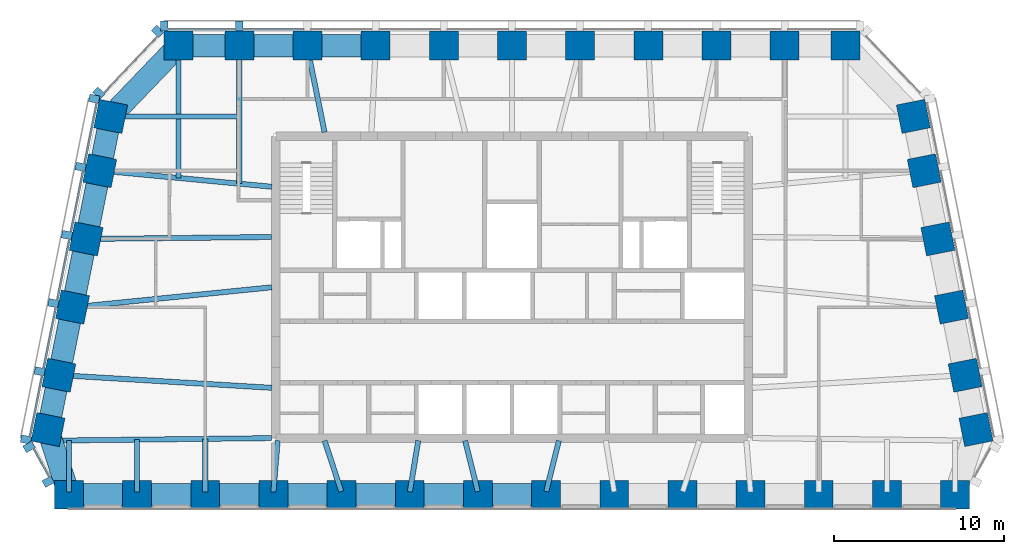
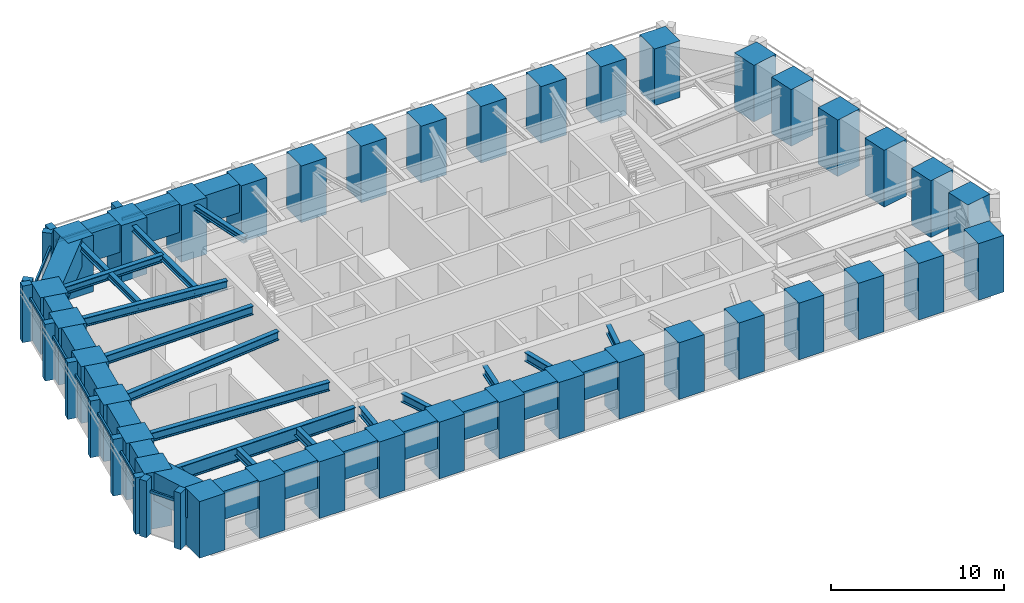
# One storey, part 1 of 8: 37 columns, 34 beams, 21 members, 4 elements without a shape of their own.
"""IFC4 building model written with IfcOpenShell, lengths in metres."""

from ifc_helpers import new_model, si_unit, direction, frame, origin, origin_2d, place, context, subcontext, project, spatial, rectangle, i_section, extrude, material, material_profile, profile_set, type_object, element, aggregate, save


model = new_model("IFC4")

# Units and contexts
model_context = context("Model", 3, precision=1e-05, world=origin(), true_north=direction((0.0, 1.0)))
body_context = subcontext(model_context, "Body", "Model", "MODEL_VIEW")
ifc_project = project(units=[si_unit("LENGTHUNIT", "METRE"), si_unit("AREAUNIT", "SQUARE_METRE"), si_unit("VOLUMEUNIT", "CUBIC_METRE"), si_unit("PLANEANGLEUNIT", "RADIAN"), si_unit("MASSUNIT", "GRAM", prefix="KILO")], contexts=[model_context])

# Site, building, storey
site_placement = place(None, origin())
site = spatial("IfcSite", under=ifc_project, at=site_placement, CompositionType="ELEMENT")
building_placement = place(site_placement, origin())
building = spatial("IfcBuilding", under=site, at=building_placement, Name="Isbrekke Arena Tower", CompositionType="ELEMENT")
storey_placement = place(building_placement, frame((0.0, 0.0, 320.0)))
storey = spatial("IfcBuildingStorey", under=building, at=storey_placement, Name="L75", CompositionType="ELEMENT", Elevation=320.0)

# Columns
ifc_material_1 = material(Name="Concrete B55 (C55/67)", Category="concrete")
ifc_material_profile_1 = material_profile(ifc_material_1, rectangle(XDim=1.699951171875, YDim=1.699951171875, at=origin_2d()), Name="RC 1700x1700")
ifc_profile_set_1 = profile_set([ifc_material_profile_1], Name="Concrete B55 (C55/67)")
column_type = type_object("IfcColumnType", Name="C5 RC 1700 x 1700", PredefinedType="COLUMN", material=ifc_profile_set_1)
for number, where, z_axis, x_axis, name in (
    (1, (-26.0, 2.824951171875, 0.0), (0.0, 0.0, 1.0), (1.0, 0.0, 0.0), "C5 S01"),
    (2, (-22.0, 2.824951171875, 0.0), (0.0, 0.0, 1.0), (1.0, 0.0, 0.0), "C5 S02"),
    (3, (-18.0, 2.824951171875, 0.0), (0.0, 0.0, 1.0), (1.0, 0.0, 0.0), "C5 S03"),
    (4, (-14.0, 2.824951171875, 0.0), (0.0, 0.0, 1.0), (1.0, 0.0, 0.0), "C5 S04"),
    (5, (-10.0, 2.824951171875, 0.0), (0.0, 0.0, 1.0), (1.0, 0.0, 0.0), "C5 S05"),
    (6, (-6.0, 2.824951171875, 0.0), (0.0, 0.0, 1.0), (1.0, 0.0, 0.0), "C5 S06"),
    (7, (-2.0, 2.824951171875, 0.0), (0.0, 0.0, 1.0), (1.0, 0.0, 0.0), "C5 S07"),
    (8, (2.0, 2.824951171875, 0.0), (0.0, 0.0, 1.0), (1.0, 0.0, 0.0), "C5 S08"),
    (9, (6.0, 2.824951171875, 0.0), (0.0, 0.0, 1.0), (1.0, 0.0, 0.0), "C5 S09"),
    (10, (10.0, 2.824951171875, 0.0), (0.0, 0.0, 1.0), (1.0, 0.0, 0.0), "C5 S10"),
    (11, (14.0, 2.824951171875, 0.0), (0.0, 0.0, 1.0), (1.0, 0.0, 0.0), "C5 S11"),
    (12, (18.0, 2.824951171875, 0.0), (0.0, 0.0, 1.0), (1.0, 0.0, 0.0), "C5 S12"),
    (13, (22.0, 2.824951171875, 0.0), (0.0, 0.0, 1.0), (1.0, 0.0, 0.0), "C5 S13"),
    (14, (26.0, 2.824951171875, 0.0), (0.0, 0.0, 1.0), (1.0, 0.0, 0.0), "C5 S14"),
    (15, (27.229248046875, 6.647216796875, 0.0), (0.0, 0.0, 1.0), (-0.196116135138, 0.980580675691, 0.0), "C5 E01"),
    (16, (26.591064453125, 9.838134765625, 0.0), (0.0, 0.0, 1.0), (-0.196116135138, 0.980580675691, 0.0), "C5 E02"),
    (17, (25.791015625, 13.838134765625, 0.0), (0.0, 0.0, 1.0), (-0.196116135138, 0.980580675691, 0.0), "C5 E03"),
    (18, (24.990966796875, 17.838134765625, 0.0), (0.0, 0.0, 1.0), (-0.196116135138, 0.980580675691, 0.0), "C5 E04"),
    (19, (24.19091796875, 21.838134765625, 0.0), (0.0, 0.0, 1.0), (-0.196116135138, 0.980580675691, 0.0), "C5 E05"),
    (20, (23.552734375, 25.029296875, 0.0), (0.0, 0.0, 1.0), (-0.196116135138, 0.980580675691, 0.0), "C5 E06"),
    (21, (19.574951171875, 29.175048828125, 0.0), (0.0, 0.0, 1.0), (-1.0, 0.0, 0.0), "C5 N01"),
    (22, (16.0, 29.175048828125, 0.0), (0.0, 0.0, 1.0), (-1.0, 0.0, 0.0), "C5 N02"),
    (23, (12.0, 29.175048828125, 0.0), (0.0, 0.0, 1.0), (-1.0, 0.0, 0.0), "C5 N03"),
    (24, (8.0, 29.175048828125, 0.0), (0.0, 0.0, 1.0), (-1.0, 0.0, 0.0), "C5 N04"),
    (25, (4.0, 29.175048828125, 0.0), (0.0, 0.0, 1.0), (-1.0, 0.0, 0.0), "C5 N05"),
    (26, (0.0, 29.175048828125, 0.0), (0.0, 0.0, 1.0), (-1.0, 0.0, 0.0), "C5 N06"),
    (27, (-4.0, 29.175048828125, 0.0), (0.0, 0.0, 1.0), (-1.0, 0.0, 0.0), "C5 N07"),
    (28, (-8.0, 29.175048828125, 0.0), (0.0, 0.0, 1.0), (-1.0, 0.0, 0.0), "C5 N08"),
    (29, (-12.0, 29.175048828125, 0.0), (0.0, 0.0, 1.0), (-1.0, 0.0, 0.0), "C5 N09"),
    (30, (-16.0, 29.175048828125, 0.0), (0.0, 0.0, 1.0), (-1.0, 0.0, 0.0), "C5 N10"),
    (31, (-19.574951171875, 29.175048828125, 0.0), (0.0, 0.0, 1.0), (-1.0, 0.0, 0.0), "C5 N11"),
    (32, (-23.552734375, 25.029296875, 0.0), (0.0, 0.0, 1.0), (-0.196116135138, -0.980580675691, 0.0), "C5 W01"),
    (33, (-24.19091796875, 21.838134765625, 0.0), (0.0, 0.0, 1.0), (-0.196116135138, -0.980580675691, 0.0), "C5 W02"),
    (34, (-24.990966796875, 17.838134765625, 0.0), (0.0, 0.0, 1.0), (-0.196116135138, -0.980580675691, 0.0), "C5 W03"),
    (35, (-25.791015625, 13.838134765625, 0.0), (0.0, 0.0, 1.0), (-0.196116135138, -0.980580675691, 0.0), "C5 W04"),
    (36, (-26.591064453125, 9.838134765625, 0.0), (0.0, 0.0, 1.0), (-0.196116135138, -0.980580675691, 0.0), "C5 W05"),
    (37, (-27.229248046875, 6.647216796875, 0.0), (0.0, 0.0, 1.0), (-0.196116135138, -0.980580675691, 0.0), "C5 W06"),
):
    element("IfcColumn", number, at=place(storey_placement, frame(where, z_axis=z_axis, x_axis=x_axis)), inside=storey, type_object=column_type, Name=name, PredefinedType="COLUMN", context=body_context, shape_type="SweptSolid", body=[
        extrude(rectangle(XDim=1.699951171875, YDim=1.699951171875, at=origin_2d()), origin(), (0.0, 0.0, 1.0), 4.0),
    ])

# Beams
ifc_material_2 = material(Name="Steel S355", Category="steel")
ifc_material_profile_2 = material_profile(ifc_material_2, i_section(OverallWidth=0.304931640625, OverallDepth=0.6201171875, WebThickness=0.02099609375, FlangeThickness=0.0400390625, FilletRadius=0.027099609375, at=origin_2d()), Name="HEM 600")
ifc_profile_set_2 = profile_set([ifc_material_profile_2], Name="Steel S355")
beam_type_1 = type_object("IfcBeamType", Name="B4 HEM 600", PredefinedType="BEAM", material=ifc_profile_set_2)
beam_1_placement = place(storey_placement, frame((-26.0, 2.97509765625, 3.43994140625), z_axis=(0.0, 1.0, 0.0), x_axis=(-1.0, 0.0, 0.0)))
element("IfcBeam", 38, at=beam_1_placement, inside=storey, type_object=beam_type_1, Name="B4 beam C-S01 L75", PredefinedType="BEAM", context=body_context, shape_type="SweptSolid", body=[
    extrude(i_section(OverallWidth=0.304931640625, OverallDepth=0.6201171875, WebThickness=0.02099609375, FlangeThickness=0.0400390625, FilletRadius=0.027099609375, at=origin_2d()), origin(), (0.0, 0.0, 1.0), 3.0390625),
])
beam_2_placement = place(storey_placement, frame((-22.0, 2.97509765625, 3.43994140625), z_axis=(0.0, 1.0, 0.0), x_axis=(-1.0, 0.0, 0.0)))
element("IfcBeam", 39, at=beam_2_placement, inside=storey, type_object=beam_type_1, Name="B4 beam C-S02 L75", PredefinedType="BEAM", context=body_context, shape_type="SweptSolid", body=[
    extrude(i_section(OverallWidth=0.304931640625, OverallDepth=0.6201171875, WebThickness=0.02099609375, FlangeThickness=0.0400390625, FilletRadius=0.027099609375, at=origin_2d()), origin(), (0.0, 0.0, 1.0), 3.084716796875),
])
beam_3_placement = place(storey_placement, frame((-18.0, 2.97509765625, 3.43994140625), z_axis=(0.0, 1.0, 0.0), x_axis=(-1.0, 0.0, 0.0)))
element("IfcBeam", 40, at=beam_3_placement, inside=storey, type_object=beam_type_1, Name="B4 beam C-S03 L75", PredefinedType="BEAM", context=body_context, shape_type="SweptSolid", body=[
    extrude(i_section(OverallWidth=0.304931640625, OverallDepth=0.6201171875, WebThickness=0.02099609375, FlangeThickness=0.0400390625, FilletRadius=0.027099609375, at=origin_2d()), origin(), (0.0, 0.0, 1.0), 3.13037109375),
])
beam_4_placement = place(storey_placement, frame((-13.9990234375, 2.987548828125, 3.43994140625), z_axis=(0.082383718089, 0.996600683822, 0.0), x_axis=(-0.996600683822, 0.082383718089, 0.0)))
element("IfcBeam", 41, at=beam_4_placement, inside=storey, type_object=beam_type_1, Name="B4 beam C-S04 L75", PredefinedType="BEAM", context=body_context, shape_type="SweptSolid", body=[
    extrude(i_section(OverallWidth=0.304931640625, OverallDepth=0.6201171875, WebThickness=0.02099609375, FlangeThickness=0.0400390625, FilletRadius=0.027099609375, at=origin_2d()), origin(), (0.0, 0.0, 1.0), 3.022705078125),
])
beam_5_placement = place(storey_placement, frame((-10.01513671875, 3.0205078125, 3.43994140625), z_axis=(-0.313846083605, 0.949473873156, 0.0), x_axis=(-0.949473873156, -0.313846083605, 0.0)))
element("IfcBeam", 42, at=beam_5_placement, inside=storey, type_object=beam_type_1, Name="B4 beam C-S05 L75", PredefinedType="BEAM", context=body_context, shape_type="SweptSolid", body=[
    extrude(i_section(OverallWidth=0.304931640625, OverallDepth=0.6201171875, WebThickness=0.02099609375, FlangeThickness=0.0400390625, FilletRadius=0.027099609375, at=origin_2d()), origin(), (0.0, 0.0, 1.0), 3.137939453125),
])
beam_6_placement = place(storey_placement, frame((-5.995849609375, 2.99951171875, 3.43994140625), z_axis=(0.163044952053, 0.986618641426, 0.0), x_axis=(-0.986618641426, 0.163044952053, 0.0)))
element("IfcBeam", 43, at=beam_6_placement, inside=storey, type_object=beam_type_1, Name="B4 beam C-S06 L75", PredefinedType="BEAM", context=body_context, shape_type="SweptSolid", body=[
    extrude(i_section(OverallWidth=0.304931640625, OverallDepth=0.6201171875, WebThickness=0.02099609375, FlangeThickness=0.0400390625, FilletRadius=0.027099609375, at=origin_2d()), origin(), (0.0, 0.0, 1.0), 3.041259765625),
])
for number, where, z_axis, x_axis, name in (
    (44, (-2.0087890625, 3.0107421875, 3.43994140625), (-0.240669951999, 0.970607013268, 0.0), (-0.970607013268, -0.240669951999, 0.0), "B4 beam C-S07 L75"),
    (45, (2.0087890625, 3.0107421875, 3.43994140625), (0.240669951999, 0.970607013268, 0.0), (-0.970607013268, 0.240669951999, 0.0), "B4 beam C-S08 L75"),
):
    element("IfcBeam", number, at=place(storey_placement, frame(where, z_axis=z_axis, x_axis=x_axis)), inside=storey, type_object=beam_type_1, Name=name, PredefinedType="BEAM", context=body_context, shape_type="SweptSolid", body=[
        extrude(i_section(OverallWidth=0.304931640625, OverallDepth=0.6201171875, WebThickness=0.02099609375, FlangeThickness=0.0400390625, FilletRadius=0.027099609375, at=origin_2d()), origin(), (0.0, 0.0, 1.0), 3.079833984375),
    ])
beam_7_placement = place(storey_placement, frame((-24.02685546875, 21.8369140625, 3.43994140625), z_axis=(0.995574576627, -0.093974796485, 0.0), x_axis=(0.093974796485, 0.995574576627, 0.0)))
element("IfcBeam", 46, at=beam_7_placement, inside=storey, type_object=beam_type_1, Name="B4 beam E-W02 L75", PredefinedType="BEAM", context=body_context, shape_type="SweptSolid", body=[
    extrude(i_section(OverallWidth=0.304931640625, OverallDepth=0.6201171875, WebThickness=0.02099609375, FlangeThickness=0.0400390625, FilletRadius=0.027099609375, at=origin_2d()), origin(), (0.0, 0.0, 1.0), 9.970947265625),
])
beam_8_placement = place(storey_placement, frame((-24.83935546875, 17.838134765625, 3.43994140625), z_axis=(0.999945800258, 0.010411366203, 0.0), x_axis=(-0.010411366203, 0.999945800258, 0.0)))
element("IfcBeam", 47, at=beam_8_placement, inside=storey, type_object=beam_type_1, Name="B4 beam E-W03 L75", PredefinedType="BEAM", context=body_context, shape_type="SweptSolid", body=[
    extrude(i_section(OverallWidth=0.304931640625, OverallDepth=0.6201171875, WebThickness=0.02099609375, FlangeThickness=0.0400390625, FilletRadius=0.027099609375, at=origin_2d()), origin(), (0.0, 0.0, 1.0), 10.73974609375),
])
beam_9_placement = place(storey_placement, frame((-25.625732421875, 13.83984375, 3.43994140625), z_axis=(0.994972081505, 0.100152668587, 0.0), x_axis=(-0.100152668587, 0.994972081505, 0.0)))
element("IfcBeam", 48, at=beam_9_placement, inside=storey, type_object=beam_type_1, Name="B4 beam E-W04 L75", PredefinedType="BEAM", context=body_context, shape_type="SweptSolid", body=[
    extrude(i_section(OverallWidth=0.304931640625, OverallDepth=0.6201171875, WebThickness=0.02099609375, FlangeThickness=0.0400390625, FilletRadius=0.027099609375, at=origin_2d()), origin(), (0.0, 0.0, 1.0), 11.583984375),
])
beam_10_placement = place(storey_placement, frame((-26.431884765625, 9.837646484375, 3.43994140625), z_axis=(0.998216240514, -0.059702070095, 0.0), x_axis=(0.059702070095, 0.998216240514, 0.0)))
element("IfcBeam", 49, at=beam_10_placement, inside=storey, type_object=beam_type_1, Name="B4 beam E-W05 L75", PredefinedType="BEAM", context=body_context, shape_type="SweptSolid", body=[
    extrude(i_section(OverallWidth=0.304931640625, OverallDepth=0.6201171875, WebThickness=0.02099609375, FlangeThickness=0.0400390625, FilletRadius=0.027099609375, at=origin_2d()), origin(), (0.0, 0.0, 1.0), 12.353759765625),
])
ifc_material_3 = material(Name="Steel S355", Category="steel")
ifc_material_profile_3 = material_profile(ifc_material_3, i_section(OverallWidth=0.305908203125, OverallDepth=0.52392578125, WebThickness=0.02099609375, FlangeThickness=0.0400390625, FilletRadius=0.027099609375, at=origin_2d()), Name="HEM 500")
ifc_profile_set_3 = profile_set([ifc_material_profile_3], Name="Steel S355")
beam_type_2 = type_object("IfcBeamType", Name="B5 HEM 500", PredefinedType="BEAM", material=ifc_profile_set_3)
beam_11_placement = place(storey_placement, frame((-23.40283203125, 25.029296875, 3.488037109375), z_axis=(1.0, 0.0, 0.0), x_axis=(0.0, 1.0, 0.0)))
element("IfcBeam", 50, at=beam_11_placement, inside=storey, type_object=beam_type_2, Name="B5 beam E-W01 L75", PredefinedType="BEAM", context=body_context, shape_type="SweptSolid", body=[
    extrude(i_section(OverallWidth=0.305908203125, OverallDepth=0.52392578125, WebThickness=0.02099609375, FlangeThickness=0.0400390625, FilletRadius=0.027099609375, at=origin_2d()), origin(), (0.0, 0.0, 1.0), 7.40283203125),
])
ifc_material_4 = material(Name="Steel S355", Category="steel")
ifc_material_profile_4 = material_profile(ifc_material_4, i_section(OverallWidth=0.306884765625, OverallDepth=0.431884765625, WebThickness=0.02099609375, FlangeThickness=0.0400390625, FilletRadius=0.027099609375, at=origin_2d()), Name="HEM 400")
ifc_profile_set_4 = profile_set([ifc_material_profile_4], Name="Steel S355")
beam_type_3 = type_object("IfcBeamType", Name="B6 HEM 400", PredefinedType="BEAM", material=ifc_profile_set_4)
beam_12_placement = place(storey_placement, frame((-16.0, 29.02490234375, 3.533935546875), z_axis=(0.0, -1.0, 0.0), x_axis=(1.0, 0.0, 0.0)))
element("IfcBeam", 51, at=beam_12_placement, inside=storey, type_object=beam_type_3, Name="B6 beam N-N10 L75", PredefinedType="BEAM", context=body_context, shape_type="SweptSolid", body=[
    extrude(i_section(OverallWidth=0.306884765625, OverallDepth=0.431884765625, WebThickness=0.02099609375, FlangeThickness=0.0400390625, FilletRadius=0.027099609375, at=origin_2d()), origin(), (0.0, 0.0, 1.0), 7.945556640625),
])
beam_13_placement = place(storey_placement, frame((-19.574951171875, 29.02490234375, 3.533935546875), z_axis=(0.0, -1.0, 0.0), x_axis=(1.0, 0.0, 0.0)))
element("IfcBeam", 52, at=beam_13_placement, inside=storey, type_object=beam_type_3, Name="B6 beam N-N11 L75", PredefinedType="BEAM", context=body_context, shape_type="SweptSolid", body=[
    extrude(i_section(OverallWidth=0.306884765625, OverallDepth=0.431884765625, WebThickness=0.02099609375, FlangeThickness=0.0400390625, FilletRadius=0.027099609375, at=origin_2d()), origin(), (0.0, 0.0, 1.0), 7.608154296875),
])
beam_14_placement = place(storey_placement, frame((-11.993896484375, 28.9951171875, 3.533935546875), z_axis=(0.198982177337, -0.980003108721, 0.0), x_axis=(0.980003108721, 0.198982177337, 0.0)))
element("IfcBeam", 53, at=beam_14_placement, inside=storey, type_object=beam_type_3, Name="B6 beam N-N09 L75", PredefinedType="BEAM", context=body_context, shape_type="SweptSolid", body=[
    extrude(i_section(OverallWidth=0.306884765625, OverallDepth=0.431884765625, WebThickness=0.02099609375, FlangeThickness=0.0400390625, FilletRadius=0.027099609375, at=origin_2d()), origin(), (0.0, 0.0, 1.0), 4.994873046875),
])

# Curtain wall, members
ifc_material_5 = material(Name="Glazed aluminium curtain wall", Category="aluminium")
curtain_wall_type = type_object("IfcCurtainWallType", Name="CWT TOWER CURTAIN WALL TOP ZONE", PredefinedType="USERDEFINED", material=ifc_material_5)
curtain_wall_1_placement = place(storey_placement, origin())
curtain_wall_1 = element("IfcCurtainWall", 54, at=curtain_wall_1_placement, inside=storey, type_object=curtain_wall_type, Name="CWT curtain wall L75-N", ObjectType="TOWER CURTAIN WALL TOP ZONE", PredefinedType="USERDEFINED")
ifc_material_6 = material(Name="Copper-clad aluminium mullion", Category="aluminium")
ifc_material_profile_5 = material_profile(ifc_material_6, rectangle(XDim=0.449951171875, YDim=0.60009765625, at=origin_2d()), Name="PIER 450X600")
ifc_profile_set_5 = profile_set([ifc_material_profile_5], Name="Copper-clad aluminium mullion")
member_type_1 = type_object("IfcMemberType", Name="CWT-M PIER MULLION 450 x 600", PredefinedType="MULLION", material=ifc_profile_set_5)
member_1_placement = place(storey_placement, frame((-16.0, 30.324951171875, 0.0), z_axis=(0.0, 0.0, 1.0), x_axis=(-1.0, 0.0, 0.0)))
member_1 = element("IfcMember", 55, at=member_1_placement, type_object=member_type_1, Name="CWT-M mullion 10", PredefinedType="MULLION", context=body_context, shape_type="SweptSolid", body=[
    extrude(rectangle(XDim=0.449951171875, YDim=0.60009765625, at=origin_2d()), origin(), (0.0, 0.0, 1.0), 4.0),
])
member_2_placement = place(storey_placement, frame((-20.39990234375, 30.324951171875, 0.0), z_axis=(0.0, 0.0, 1.0), x_axis=(-1.0, 0.0, 0.0)))
member_2 = element("IfcMember", 56, at=member_2_placement, type_object=member_type_1, Name="CWT-M mullion 11", PredefinedType="MULLION", context=body_context, shape_type="SweptSolid", body=[
    extrude(rectangle(XDim=0.449951171875, YDim=0.60009765625, at=origin_2d()), origin(), (0.0, 0.0, 1.0), 4.0),
])

curtain_wall_2_placement = place(storey_placement, origin())
curtain_wall_2 = element("IfcCurtainWall", 57, at=curtain_wall_2_placement, inside=storey, type_object=curtain_wall_type, Name="CWT curtain wall L75-NW", ObjectType="TOWER CURTAIN WALL TOP ZONE", PredefinedType="USERDEFINED")
member_3_placement = place(storey_placement, frame((-20.795166015625, 30.01953125, 0.0), z_axis=(0.0, 0.0, 1.0), x_axis=(-0.68874946192, -0.72499943359, 0.0)))
member_3 = element("IfcMember", 58, at=member_3_placement, type_object=member_type_1, Name="CWT-M mullion 1", PredefinedType="MULLION", context=body_context, shape_type="SweptSolid", body=[
    extrude(rectangle(XDim=0.449951171875, YDim=0.60009765625, at=origin_2d()), origin(), (0.0, 0.0, 1.0), 4.0),
])
member_4_placement = place(storey_placement, frame((-24.243896484375, 26.389404296875, 0.0), z_axis=(0.0, 0.0, 1.0), x_axis=(-0.68874946192, -0.72499943359, 0.0)))
member_4 = element("IfcMember", 59, at=member_4_placement, type_object=member_type_1, Name="CWT-M mullion 2", PredefinedType="MULLION", context=body_context, shape_type="SweptSolid", body=[
    extrude(rectangle(XDim=0.449951171875, YDim=0.60009765625, at=origin_2d()), origin(), (0.0, 0.0, 1.0), 4.0),
])

curtain_wall_3_placement = place(storey_placement, origin())
curtain_wall_3 = element("IfcCurtainWall", 60, at=curtain_wall_3_placement, inside=storey, type_object=curtain_wall_type, Name="CWT curtain wall L75-W", ObjectType="TOWER CURTAIN WALL TOP ZONE", PredefinedType="USERDEFINED")
member_5_placement = place(storey_placement, frame((-24.518798828125, 26.063720703125, 0.0), z_axis=(0.0, 0.0, 1.0), x_axis=(-0.196116135138, -0.980580675691, 0.0)))
member_5 = element("IfcMember", 61, at=member_5_placement, type_object=member_type_1, Name="CWT-M mullion 1", PredefinedType="MULLION", context=body_context, shape_type="SweptSolid", body=[
    extrude(rectangle(XDim=0.449951171875, YDim=0.60009765625, at=origin_2d()), origin(), (0.0, 0.0, 1.0), 4.0),
])
member_6_placement = place(storey_placement, frame((-25.318603515625, 22.063720703125, 0.0), z_axis=(0.0, 0.0, 1.0), x_axis=(-0.196116135138, -0.980580675691, 0.0)))
member_6 = element("IfcMember", 62, at=member_6_placement, type_object=member_type_1, Name="CWT-M mullion 2", PredefinedType="MULLION", context=body_context, shape_type="SweptSolid", body=[
    extrude(rectangle(XDim=0.449951171875, YDim=0.60009765625, at=origin_2d()), origin(), (0.0, 0.0, 1.0), 4.0),
])
member_7_placement = place(storey_placement, frame((-26.11865234375, 18.063720703125, 0.0), z_axis=(0.0, 0.0, 1.0), x_axis=(-0.196116135138, -0.980580675691, 0.0)))
member_7 = element("IfcMember", 63, at=member_7_placement, type_object=member_type_1, Name="CWT-M mullion 3", PredefinedType="MULLION", context=body_context, shape_type="SweptSolid", body=[
    extrude(rectangle(XDim=0.449951171875, YDim=0.60009765625, at=origin_2d()), origin(), (0.0, 0.0, 1.0), 4.0),
])
member_8_placement = place(storey_placement, frame((-26.918701171875, 14.063720703125, 0.0), z_axis=(0.0, 0.0, 1.0), x_axis=(-0.196116135138, -0.980580675691, 0.0)))
member_8 = element("IfcMember", 64, at=member_8_placement, type_object=member_type_1, Name="CWT-M mullion 4", PredefinedType="MULLION", context=body_context, shape_type="SweptSolid", body=[
    extrude(rectangle(XDim=0.449951171875, YDim=0.60009765625, at=origin_2d()), origin(), (0.0, 0.0, 1.0), 4.0),
])
member_9_placement = place(storey_placement, frame((-27.71875, 10.063720703125, 0.0), z_axis=(0.0, 0.0, 1.0), x_axis=(-0.196116135138, -0.980580675691, 0.0)))
member_9 = element("IfcMember", 65, at=member_9_placement, type_object=member_type_1, Name="CWT-M mullion 5", PredefinedType="MULLION", context=body_context, shape_type="SweptSolid", body=[
    extrude(rectangle(XDim=0.449951171875, YDim=0.60009765625, at=origin_2d()), origin(), (0.0, 0.0, 1.0), 4.0),
])
member_10_placement = place(storey_placement, frame((-28.518798828125, 6.063720703125, 0.0), z_axis=(0.0, 0.0, 1.0), x_axis=(-0.196116135138, -0.980580675691, 0.0)))
member_10 = element("IfcMember", 66, at=member_10_placement, type_object=member_type_1, Name="CWT-M mullion 6", PredefinedType="MULLION", context=body_context, shape_type="SweptSolid", body=[
    extrude(rectangle(XDim=0.449951171875, YDim=0.60009765625, at=origin_2d()), origin(), (0.0, 0.0, 1.0), 4.0),
])

curtain_wall_4_placement = place(storey_placement, origin())
curtain_wall_4 = element("IfcCurtainWall", 67, at=curtain_wall_4_placement, inside=storey, type_object=curtain_wall_type, Name="CWT curtain wall L75-WS", ObjectType="TOWER CURTAIN WALL TOP ZONE", PredefinedType="USERDEFINED")
member_11_placement = place(storey_placement, frame((-28.34033203125, 5.632568359375, 0.0), z_axis=(0.0, 0.0, 1.0), x_axis=(0.481918749773, -0.876215908676, 0.0)))
member_11 = element("IfcMember", 68, at=member_11_placement, type_object=member_type_1, Name="CWT-M mullion 1", PredefinedType="MULLION", context=body_context, shape_type="SweptSolid", body=[
    extrude(rectangle(XDim=0.449951171875, YDim=0.60009765625, at=origin_2d()), origin(), (0.0, 0.0, 1.0), 4.0),
])
member_12_placement = place(storey_placement, frame((-27.21826171875, 3.592529296875, 0.0), z_axis=(0.0, 0.0, 1.0), x_axis=(0.481918749773, -0.876215908676, 0.0)))
member_12 = element("IfcMember", 69, at=member_12_placement, type_object=member_type_1, Name="CWT-M mullion 2", PredefinedType="MULLION", context=body_context, shape_type="SweptSolid", body=[
    extrude(rectangle(XDim=0.449951171875, YDim=0.60009765625, at=origin_2d()), origin(), (0.0, 0.0, 1.0), 4.0),
])

# Member
ifc_material_7 = material(Name="Aluminium transom", Category="aluminium")
ifc_material_profile_6 = material_profile(ifc_material_7, rectangle(XDim=0.1201171875, YDim=0.199951171875, at=origin_2d()), Name="TRANSOM 120X200")
ifc_profile_set_6 = profile_set([ifc_material_profile_6], Name="Aluminium transom")
member_type_2 = type_object("IfcMemberType", Name="CWT-T TRANSOM 120 x 200", PredefinedType="USERDEFINED", material=ifc_profile_set_6)
member_13_placement = place(storey_placement, frame((-12.22509765625, 30.125, 3.0), z_axis=(-1.0, 0.0, 0.0), x_axis=(0.0, -1.0, 0.0)))
member_13 = element("IfcMember", 70, at=member_13_placement, type_object=member_type_2, Name="CWT-T transom 9", ObjectType="TRANSOM", PredefinedType="USERDEFINED", context=body_context, shape_type="SweptSolid", body=[
    extrude(rectangle(XDim=0.1201171875, YDim=0.199951171875, at=origin_2d()), origin(), (0.0, 0.0, 1.0), 3.5498046875),
])

member_14_placement = place(storey_placement, frame((-16.22509765625, 30.125, 3.0), z_axis=(-1.0, 0.0, 0.0), x_axis=(0.0, -1.0, 0.0)))
member_14 = element("IfcMember", 71, at=member_14_placement, type_object=member_type_2, Name="CWT-T transom 10", ObjectType="TRANSOM", PredefinedType="USERDEFINED", context=body_context, shape_type="SweptSolid", body=[
    extrude(rectangle(XDim=0.1201171875, YDim=0.199951171875, at=origin_2d()), origin(), (0.0, 0.0, 1.0), 3.949951171875),
])

aggregate(curtain_wall_1, [member_1, member_2, member_13, member_14])

member_15_placement = place(storey_placement, frame((-20.80517578125, 29.71875, 3.0), z_axis=(-0.688739606035, -0.725008796552, 0.0), x_axis=(0.725008796552, -0.688739606035, 0.0)))
member_15 = element("IfcMember", 72, at=member_15_placement, type_object=member_type_2, Name="CWT-T transom 1", ObjectType="TRANSOM", PredefinedType="USERDEFINED", context=body_context, shape_type="SweptSolid", body=[
    extrude(rectangle(XDim=0.1201171875, YDim=0.199951171875, at=origin_2d()), origin(), (0.0, 0.0, 1.0), 4.55712890625),
])

aggregate(curtain_wall_2, [member_3, member_4, member_15])

member_16_placement = place(storey_placement, frame((-24.36669921875, 25.803955078125, 3.0), z_axis=(-0.196090262229, -0.980585849918, 0.0), x_axis=(0.980585849918, -0.196090262229, 0.0)))
member_16 = element("IfcMember", 73, at=member_16_placement, type_object=member_type_2, Name="CWT-T transom 1", ObjectType="TRANSOM", PredefinedType="USERDEFINED", context=body_context, shape_type="SweptSolid", body=[
    extrude(rectangle(XDim=0.1201171875, YDim=0.199951171875, at=origin_2d()), origin(), (0.0, 0.0, 1.0), 3.62939453125),
])

member_17_placement = place(storey_placement, frame((-25.166748046875, 21.803955078125, 3.0), z_axis=(-0.196090262229, -0.980585849918, 0.0), x_axis=(0.980585849918, -0.196090262229, 0.0)))
member_17 = element("IfcMember", 74, at=member_17_placement, type_object=member_type_2, Name="CWT-T transom 2", ObjectType="TRANSOM", PredefinedType="USERDEFINED", context=body_context, shape_type="SweptSolid", body=[
    extrude(rectangle(XDim=0.1201171875, YDim=0.199951171875, at=origin_2d()), origin(), (0.0, 0.0, 1.0), 3.62939453125),
])

member_18_placement = place(storey_placement, frame((-25.966796875, 17.803955078125, 3.0), z_axis=(-0.196090262229, -0.980585849918, 0.0), x_axis=(0.980585849918, -0.196090262229, 0.0)))
member_18 = element("IfcMember", 75, at=member_18_placement, type_object=member_type_2, Name="CWT-T transom 3", ObjectType="TRANSOM", PredefinedType="USERDEFINED", context=body_context, shape_type="SweptSolid", body=[
    extrude(rectangle(XDim=0.1201171875, YDim=0.199951171875, at=origin_2d()), origin(), (0.0, 0.0, 1.0), 3.62939453125),
])

member_19_placement = place(storey_placement, frame((-26.7666015625, 13.803955078125, 3.0), z_axis=(-0.196154943734, -0.980572913173, 0.0), x_axis=(0.980572913173, -0.196154943734, 0.0)))
member_19 = element("IfcMember", 76, at=member_19_placement, type_object=member_type_2, Name="CWT-T transom 4", ObjectType="TRANSOM", PredefinedType="USERDEFINED", context=body_context, shape_type="SweptSolid", body=[
    extrude(rectangle(XDim=0.1201171875, YDim=0.199951171875, at=origin_2d()), origin(), (0.0, 0.0, 1.0), 3.62939453125),
])

member_20_placement = place(storey_placement, frame((-27.566650390625, 9.803955078125, 3.0), z_axis=(-0.196154943734, -0.980572913173, 0.0), x_axis=(0.980572913173, -0.196154943734, 0.0)))
member_20 = element("IfcMember", 77, at=member_20_placement, type_object=member_type_2, Name="CWT-T transom 5", ObjectType="TRANSOM", PredefinedType="USERDEFINED", context=body_context, shape_type="SweptSolid", body=[
    extrude(rectangle(XDim=0.1201171875, YDim=0.199951171875, at=origin_2d()), origin(), (0.0, 0.0, 1.0), 3.62939453125),
])

aggregate(curtain_wall_3, [member_5, member_6, member_7, member_8, member_9, member_10, member_16, member_17, member_18, member_19, member_20])

member_21_placement = place(storey_placement, frame((-28.056640625, 5.53173828125, 3.0), z_axis=(0.481918749772, -0.876215908677, 0.0), x_axis=(0.876215908677, 0.481918749772, 0.0)))
member_21 = element("IfcMember", 78, at=member_21_placement, type_object=member_type_2, Name="CWT-T transom 1", ObjectType="TRANSOM", PredefinedType="USERDEFINED", context=body_context, shape_type="SweptSolid", body=[
    extrude(rectangle(XDim=0.1201171875, YDim=0.199951171875, at=origin_2d()), origin(), (0.0, 0.0, 1.0), 1.8779296875),
])

aggregate(curtain_wall_4, [member_11, member_12, member_21])

# Beams
ifc_material_8 = material(Name="Steel S355", Category="steel")
ifc_material_profile_7 = material_profile(ifc_material_8, i_section(OverallWidth=0.302001953125, OverallDepth=1.008056640625, WebThickness=0.02099609375, FlangeThickness=0.0400390625, FilletRadius=0.030029296875, at=origin_2d()), Name="HEM 1000")
ifc_profile_set_7 = profile_set([ifc_material_profile_7], Name="Steel S355")
beam_type_4 = type_object("IfcBeamType", Name="G2 HEM 1000", PredefinedType="BEAM", material=ifc_profile_set_7)
beam_15_placement = place(storey_placement, frame((-14.10009765625, 6.14990234375, 3.24609375), z_axis=(-0.999934809516, -0.011418262471, 0.0), x_axis=(0.011418262471, -0.999934809516, 0.0)))
element("IfcBeam", 79, at=beam_15_placement, inside=storey, type_object=beam_type_4, Name="G2 beam G2-W L75", PredefinedType="BEAM", context=body_context, shape_type="SweptSolid", body=[
    extrude(i_section(OverallWidth=0.302001953125, OverallDepth=1.008056640625, WebThickness=0.02099609375, FlangeThickness=0.0400390625, FilletRadius=0.030029296875, at=origin_2d()), origin(), (0.0, 0.0, 1.0), 13.12841796875),
])
ifc_material_9 = material(Name="Concrete B55 (C55/67)", Category="concrete")
ifc_material_profile_8 = material_profile(ifc_material_9, rectangle(XDim=1.300048828125, YDim=2.0, at=origin_2d()), Name="RC 1300x2000")
ifc_profile_set_8 = profile_set([ifc_material_profile_8], Name="Concrete B55 (C55/67)")
beam_type_5 = type_object("IfcBeamType", Name="SB4 RC 1300 x 2000", PredefinedType="SPANDREL", material=ifc_profile_set_8)
for number, where, z_axis, x_axis, name in (
    (80, (-25.85009765625, 2.824951171875, 3.0), (1.0, 0.0, 0.0), (0.0, 1.0, 0.0), "SB4 spandrel S01-S02 L75"),
    (81, (-21.85009765625, 2.824951171875, 3.0), (1.0, 0.0, 0.0), (0.0, 1.0, 0.0), "SB4 spandrel S02-S03 L75"),
    (82, (-17.85009765625, 2.824951171875, 3.0), (1.0, 0.0, 0.0), (0.0, 1.0, 0.0), "SB4 spandrel S03-S04 L75"),
    (83, (-13.85009765625, 2.824951171875, 3.0), (1.0, 0.0, 0.0), (0.0, 1.0, 0.0), "SB4 spandrel S04-S05 L75"),
    (84, (-9.85009765625, 2.824951171875, 3.0), (1.0, 0.0, 0.0), (0.0, 1.0, 0.0), "SB4 spandrel S05-S06 L75"),
    (85, (-5.85009765625, 2.824951171875, 3.0), (1.0, 0.0, 0.0), (0.0, 1.0, 0.0), "SB4 spandrel S06-S07 L75"),
    (86, (-1.85009765625, 2.824951171875, 3.0), (1.0, 0.0, 0.0), (0.0, 1.0, 0.0), "SB4 spandrel S07-S08 L75"),
    (87, (-8.14990234375, 29.175048828125, 3.0), (-1.0, 0.0, 0.0), (0.0, -1.0, 0.0), "SB4 spandrel N08-N09 L75"),
    (88, (-12.14990234375, 29.175048828125, 3.0), (-1.0, 0.0, 0.0), (0.0, -1.0, 0.0), "SB4 spandrel N09-N10 L75"),
):
    element("IfcBeam", number, at=place(storey_placement, frame(where, z_axis=z_axis, x_axis=x_axis)), inside=storey, type_object=beam_type_5, Name=name, PredefinedType="SPANDREL", context=body_context, shape_type="SweptSolid", body=[
        extrude(rectangle(XDim=1.300048828125, YDim=2.0, at=origin_2d()), origin(), (0.0, 0.0, 1.0), 3.7001953125),
    ])
beam_16_placement = place(storey_placement, frame((-16.14990234375, 29.175048828125, 3.0), z_axis=(-1.0, 0.0, 0.0), x_axis=(0.0, -1.0, 0.0)))
element("IfcBeam", 89, at=beam_16_placement, inside=storey, type_object=beam_type_5, Name="SB4 spandrel N10-N11 L75", PredefinedType="SPANDREL", context=body_context, shape_type="SweptSolid", body=[
    extrude(rectangle(XDim=1.300048828125, YDim=2.0, at=origin_2d()), origin(), (0.0, 0.0, 1.0), 3.275146484375),
])
beam_17_placement = place(storey_placement, frame((-19.678955078125, 29.066650390625, 3.0), z_axis=(-0.692339547635, -0.721571861134, 0.0), x_axis=(0.721571861134, -0.692339547635, 0.0)))
element("IfcBeam", 90, at=beam_17_placement, inside=storey, type_object=beam_type_5, Name="SB4 spandrel N11-W01 L75", PredefinedType="SPANDREL", context=body_context, shape_type="SweptSolid", body=[
    extrude(rectangle(XDim=1.300048828125, YDim=2.0, at=origin_2d()), origin(), (0.0, 0.0, 1.0), 5.4453125),
])
beam_18_placement = place(storey_placement, frame((-23.582275390625, 24.882080078125, 3.0), z_axis=(-0.196116135138, -0.980580675691, 0.0), x_axis=(0.980580675691, -0.196116135138, 0.0)))
element("IfcBeam", 91, at=beam_18_placement, inside=storey, type_object=beam_type_5, Name="SB4 spandrel W01-W02 L75", PredefinedType="SPANDREL", context=body_context, shape_type="SweptSolid", body=[
    extrude(rectangle(XDim=1.300048828125, YDim=2.0, at=origin_2d()), origin(), (0.0, 0.0, 1.0), 2.9541015625),
])
for number, where, z_axis, x_axis, name in (
    (92, (-24.220458984375, 21.691162109375, 3.0), (-0.196128558387, -0.980578190959, 0.0), (0.980578190959, -0.196128558387, 0.0), "SB4 spandrel W02-W03 L75"),
    (93, (-25.0205078125, 17.691162109375, 3.0), (-0.196128558387, -0.980578190959, 0.0), (0.980578190959, -0.196128558387, 0.0), "SB4 spandrel W03-W04 L75"),
):
    element("IfcBeam", number, at=place(storey_placement, frame(where, z_axis=z_axis, x_axis=x_axis)), inside=storey, type_object=beam_type_5, Name=name, PredefinedType="SPANDREL", context=body_context, shape_type="SweptSolid", body=[
        extrude(rectangle(XDim=1.300048828125, YDim=2.0, at=origin_2d()), origin(), (0.0, 0.0, 1.0), 3.779296875),
    ])
beam_19_placement = place(storey_placement, frame((-25.820556640625, 13.691162109375, 3.0), z_axis=(-0.1960664412, -0.980590613169, 0.0), x_axis=(0.980590613169, -0.1960664412, 0.0)))
element("IfcBeam", 94, at=beam_19_placement, inside=storey, type_object=beam_type_5, Name="SB4 spandrel W04-W05 L75", PredefinedType="SPANDREL", context=body_context, shape_type="SweptSolid", body=[
    extrude(rectangle(XDim=1.300048828125, YDim=2.0, at=origin_2d()), origin(), (0.0, 0.0, 1.0), 3.779052734375),
])
beam_20_placement = place(storey_placement, frame((-26.620361328125, 9.691162109375, 3.0), z_axis=(-0.196100243168, -0.980583853951, 0.0), x_axis=(0.980583853951, -0.196100243168, 0.0)))
element("IfcBeam", 95, at=beam_20_placement, inside=storey, type_object=beam_type_5, Name="SB4 spandrel W05-W06 L75", PredefinedType="SPANDREL", context=body_context, shape_type="SweptSolid", body=[
    extrude(rectangle(XDim=1.300048828125, YDim=2.0, at=origin_2d()), origin(), (0.0, 0.0, 1.0), 2.954345703125),
])
beam_21_placement = place(storey_placement, frame((-27.183349609375, 6.50439453125, 3.0), z_axis=(0.306175101476, -0.951975213562, 0.0), x_axis=(0.951975213562, 0.306175101476, 0.0)))
element("IfcBeam", 96, at=beam_21_placement, inside=storey, type_object=beam_type_5, Name="SB4 spandrel W06-S01 L75", PredefinedType="SPANDREL", context=body_context, shape_type="SweptSolid", body=[
    extrude(rectangle(XDim=1.300048828125, YDim=2.0, at=origin_2d()), origin(), (0.0, 0.0, 1.0), 3.715087890625),
])

save(model, "model.ifc")
